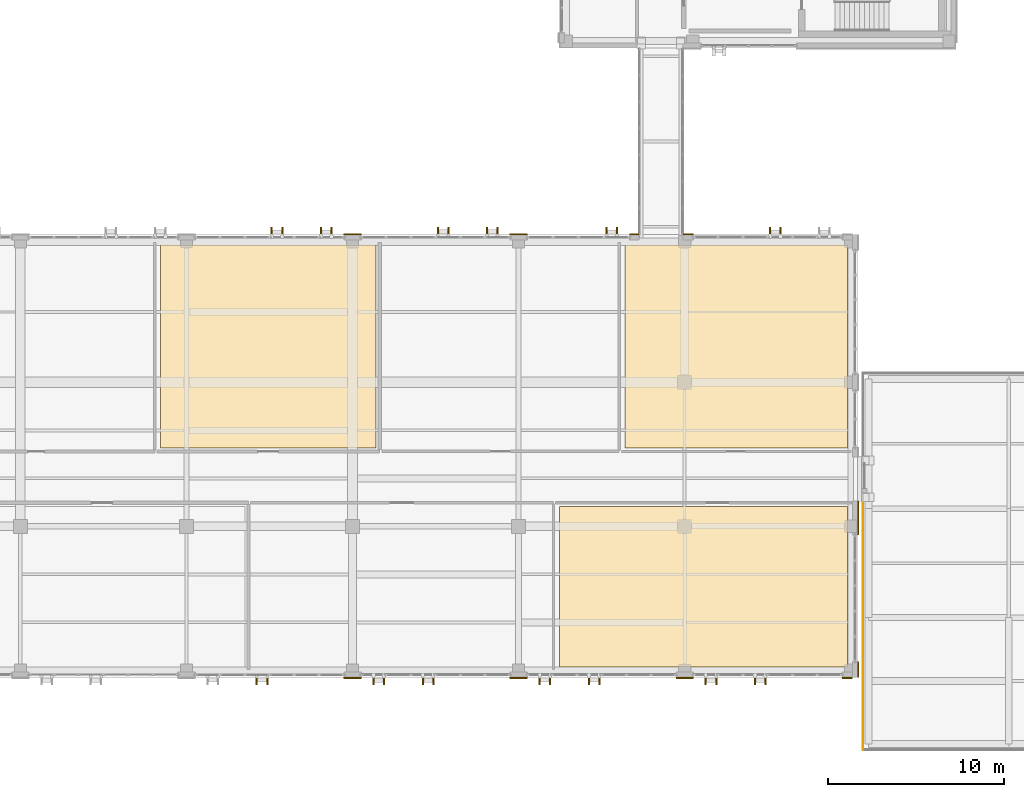
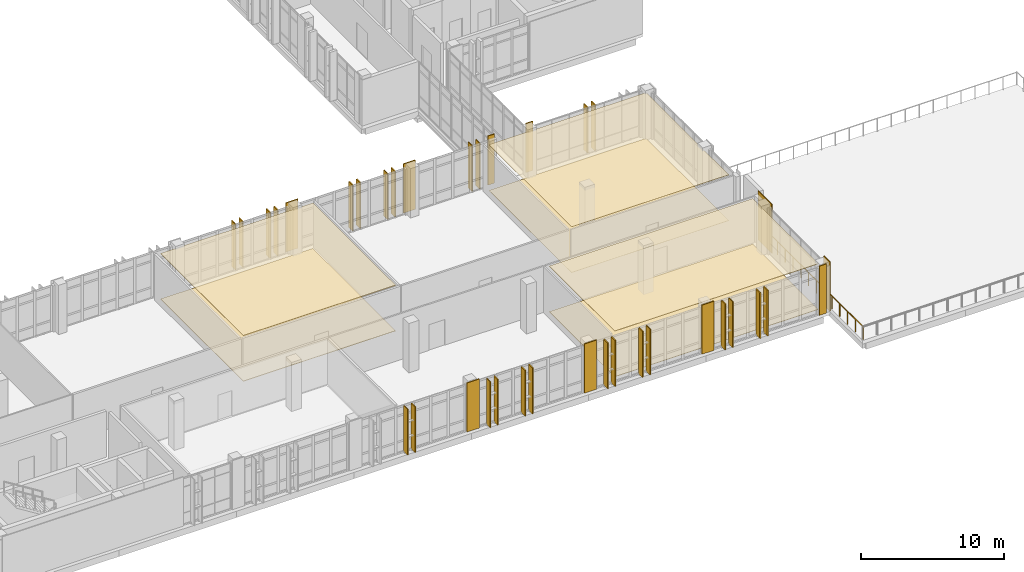
# One storey, part 152 of 165: 26 shading devices, 16 coverings, 1 railing.
"""IFC4 building model written with IfcOpenShell, lengths in metres."""

from ifc_helpers import new_model, si_unit, direction, frame, origin, origin_2d, place, context, subcontext, project, spatial, polyline, rectangle, circle, outline, extrude, material, layer, layer_set, type_object, element, save


model = new_model("IFC4")

# Units and contexts
model_context = context("Model", 3, precision=1e-05, world=origin(), true_north=direction((0.0, 1.0)))
body_context = subcontext(model_context, "Body", "Model", "MODEL_VIEW")
ifc_project = project(units=[si_unit("LENGTHUNIT", "METRE"), si_unit("AREAUNIT", "SQUARE_METRE"), si_unit("VOLUMEUNIT", "CUBIC_METRE"), si_unit("PLANEANGLEUNIT", "RADIAN"), si_unit("MASSUNIT", "GRAM", prefix="KILO")], contexts=[model_context])

# Site, building, storey
site_placement = place(None, origin())
site = spatial("IfcSite", under=ifc_project, at=site_placement, CompositionType="ELEMENT")
building_placement = place(site_placement, origin())
building = spatial("IfcBuilding", under=site, at=building_placement, Name="Qalavern Law Courts", CompositionType="ELEMENT")
storey_placement = place(building_placement, frame((0.0, 0.0, 14.39990234375)))
storey = spatial("IfcBuildingStorey", under=building, at=storey_placement, Name="L03", CompositionType="ELEMENT", Elevation=14.39990234375)

# Railing
ifc_material_1 = material(Name="Steel S355", Category="steel")
railing_type = type_object("IfcRailingType", Name="ENV-BAL-1120", PredefinedType="BALUSTRADE", material=ifc_material_1)
railing_placement = place(storey_placement, frame((101.5, 1.080078125, 0.0)))
element("IfcRailing", 1, at=railing_placement, inside=storey, type_object=railing_type, Name="V6 outdoor terrace safety guard L03-2", PredefinedType="BALUSTRADE", context=body_context, shape_type="SweptSolid", body=[
    extrude(circle(Radius=0.02392578125, at=origin_2d()), frame((0.0, 0.0, 1.09619140625), z_axis=(0.0, 1.0, 0.0), x_axis=(-1.0, 0.0, 0.0)), (0.0, 0.0, 1.0), 14.119873046875),
    extrude(circle(Radius=0.02099609375, at=origin_2d()), origin(), (0.0, 0.0, 1.0), 1.072021484375),
    extrude(circle(Radius=0.02099609375, at=origin_2d()), frame((0.0, 1.086181640625, 0.0)), (0.0, 0.0, 1.0), 1.072021484375),
    extrude(circle(Radius=0.02099609375, at=origin_2d()), frame((0.0, 2.17236328125, 0.0)), (0.0, 0.0, 1.0), 1.072021484375),
    extrude(circle(Radius=0.02099609375, at=origin_2d()), frame((0.0, 3.258544921875, 0.0)), (0.0, 0.0, 1.0), 1.072021484375),
    extrude(circle(Radius=0.02099609375, at=origin_2d()), frame((0.0, 4.344482421875, 0.0)), (0.0, 0.0, 1.0), 1.072021484375),
    extrude(circle(Radius=0.02099609375, at=origin_2d()), frame((0.0, 5.4306640625, 0.0)), (0.0, 0.0, 1.0), 1.072021484375),
    extrude(circle(Radius=0.02099609375, at=origin_2d()), frame((0.0, 6.516845703125, 0.0)), (0.0, 0.0, 1.0), 1.072021484375),
    extrude(circle(Radius=0.02099609375, at=origin_2d()), frame((0.0, 7.60302734375, 0.0)), (0.0, 0.0, 1.0), 1.072021484375),
    extrude(circle(Radius=0.02099609375, at=origin_2d()), frame((0.0, 8.689208984375, 0.0)), (0.0, 0.0, 1.0), 1.072021484375),
    extrude(circle(Radius=0.02099609375, at=origin_2d()), frame((0.0, 9.775390625, 0.0)), (0.0, 0.0, 1.0), 1.072021484375),
    extrude(circle(Radius=0.02099609375, at=origin_2d()), frame((0.0, 10.861328125, 0.0)), (0.0, 0.0, 1.0), 1.072021484375),
    extrude(circle(Radius=0.02099609375, at=origin_2d()), frame((0.0, 11.947509765625, 0.0)), (0.0, 0.0, 1.0), 1.072021484375),
    extrude(circle(Radius=0.02099609375, at=origin_2d()), frame((0.0, 13.03369140625, 0.0)), (0.0, 0.0, 1.0), 1.072021484375),
    extrude(circle(Radius=0.02099609375, at=origin_2d()), frame((0.0, 14.119873046875, 0.0)), (0.0, 0.0, 1.0), 1.072021484375),
])

# Coverings
ifc_material_2 = material(Name="Precast concrete C40/50", Category="concrete")
ifc_layer_1 = layer(ifc_material_2, 0.072021484375)
ifc_layer_set_1 = layer_set([ifc_layer_1], Name="Precast concrete C40/50")
covering_type_1 = type_object("IfcCoveringType", Name="ENV-CLD-2", PredefinedType="CLADDING", material=ifc_layer_set_1)
for number, where, z_axis, x_axis, name in (
    (2, (72.43701171875, 5.1669921875, 0.01025390625), (0.0, 0.0, 1.0), (1.0, 0.0, 0.0), "V2 Absheron limestone pier facing L03 south 4"),
    (3, (81.891357421875, 5.1669921875, 0.01025390625), (0.0, 0.0, 1.0), (1.0, 0.0, 0.0), "V2 Absheron limestone pier facing L03 south 5"),
    (4, (91.345703125, 5.1669921875, 0.01025390625), (0.0, 0.0, 1.0), (1.0, 0.0, 0.0), "V2 Absheron limestone pier facing L03 south 6"),
):
    element("IfcCovering", number, at=place(storey_placement, frame(where, z_axis=z_axis, x_axis=x_axis)), inside=storey, type_object=covering_type_1, Name=name, PredefinedType="CLADDING", context=body_context, shape_type="SweptSolid", body=[
        extrude(rectangle(XDim=0.97998046875, YDim=0.072021484375, at=origin_2d()), origin(), (0.0, 0.0, 1.0), 4.179931640625),
    ])
covering_1_placement = place(storey_placement, frame((100.60498046875, 5.1669921875, 0.01025390625), z_axis=(0.0, 0.0, 1.0), x_axis=(1.0, 0.0, 0.0)))
element("IfcCovering", 5, at=covering_1_placement, inside=storey, type_object=covering_type_1, Name="V2 Absheron limestone pier facing L03 south 7", PredefinedType="CLADDING", context=body_context, shape_type="SweptSolid", body=[
    extrude(rectangle(XDim=0.590087890625, YDim=0.072021484375, at=origin_2d()), origin(), (0.0, 0.0, 1.0), 4.179931640625),
])
covering_2_placement = place(storey_placement, frame((101.23291015625, 5.64990234375, 0.01025390625), z_axis=(0.0, 0.0, 1.0), x_axis=(0.0, 1.0, 0.0)))
element("IfcCovering", 6, at=covering_2_placement, inside=storey, type_object=covering_type_1, Name="V2 Absheron limestone pier facing L03 east 1", PredefinedType="CLADDING", context=body_context, shape_type="SweptSolid", body=[
    extrude(rectangle(XDim=0.8798828125, YDim=0.072021484375, at=origin_2d()), origin(), (0.0, 0.0, 1.0), 4.179931640625),
])
covering_3_placement = place(storey_placement, frame((101.23291015625, 14.27490234375, 0.01025390625), z_axis=(0.0, 0.0, 1.0), x_axis=(0.0, 1.0, 0.0)))
element("IfcCovering", 7, at=covering_3_placement, inside=storey, type_object=covering_type_1, Name="V2 Absheron limestone pier facing L03 east 2", PredefinedType="CLADDING", context=body_context, shape_type="SweptSolid", body=[
    extrude(rectangle(XDim=1.929931640625, YDim=0.072021484375, at=origin_2d()), origin(), (0.0, 0.0, 1.0), 4.179931640625),
])
covering_4_placement = place(storey_placement, frame((91.5478515625, 30.43310546875, 0.01025390625), z_axis=(0.0, 0.0, 1.0), x_axis=(-1.0, 0.0, 0.0)))
element("IfcCovering", 8, at=covering_4_placement, inside=storey, type_object=covering_type_1, Name="V2 Absheron limestone pier facing L03 north 2", PredefinedType="CLADDING", context=body_context, shape_type="SweptSolid", body=[
    extrude(rectangle(XDim=0.57568359375, YDim=0.072021484375, at=origin_2d()), origin(), (0.0, 0.0, 1.0), 4.179931640625),
])
covering_5_placement = place(storey_placement, frame((88.47509765625, 30.43310546875, 0.01025390625), z_axis=(0.0, 0.0, 1.0), x_axis=(-1.0, 0.0, 0.0)))
element("IfcCovering", 9, at=covering_5_placement, inside=storey, type_object=covering_type_1, Name="V2 Absheron limestone pier facing L03 north 1", PredefinedType="CLADDING", context=body_context, shape_type="SweptSolid", body=[
    extrude(rectangle(XDim=0.530029296875, YDim=0.072021484375, at=origin_2d()), origin(), (0.0, 0.0, 1.0), 4.179931640625),
])
for number, where, z_axis, x_axis, name in (
    (10, (81.891357421875, 30.43310546875, 0.01025390625), (0.0, 0.0, 1.0), (-1.0, 0.0, 0.0), "V2 Absheron limestone pier facing L03 north 2"),
    (11, (72.43701171875, 30.43310546875, 0.01025390625), (0.0, 0.0, 1.0), (-1.0, 0.0, 0.0), "V2 Absheron limestone pier facing L03 north 3"),
):
    element("IfcCovering", number, at=place(storey_placement, frame(where, z_axis=z_axis, x_axis=x_axis)), inside=storey, type_object=covering_type_1, Name=name, PredefinedType="CLADDING", context=body_context, shape_type="SweptSolid", body=[
        extrude(rectangle(XDim=0.97998046875, YDim=0.072021484375, at=origin_2d()), origin(), (0.0, 0.0, 1.0), 4.179931640625),
    ])

# Shading devices
shading_device_type = type_object("IfcShadingDeviceType", Name="ENV-FIN-1", PredefinedType="USERDEFINED", material=ifc_material_2)
for number, where, z_axis, x_axis, name in (
    (12, (66.98291015625, 5.03759765625, 0.01025390625), (0.0, 0.0, 1.0), (0.0, -1.0, 0.0), "Hall solar shading fin 0105"),
    (13, (67.5830078125, 5.03759765625, 0.01025390625), (0.0, 0.0, 1.0), (0.0, -1.0, 0.0), "Hall solar shading fin 0106"),
    (14, (73.63720703125, 5.03759765625, 0.01025390625), (0.0, 0.0, 1.0), (0.0, -1.0, 0.0), "Hall solar shading fin 0107"),
    (15, (74.237060546875, 5.03759765625, 0.01025390625), (0.0, 0.0, 1.0), (0.0, -1.0, 0.0), "Hall solar shading fin 0108"),
    (16, (76.43701171875, 5.03759765625, 0.01025390625), (0.0, 0.0, 1.0), (0.0, -1.0, 0.0), "Hall solar shading fin 0109"),
    (17, (77.037109375, 5.03759765625, 0.01025390625), (0.0, 0.0, 1.0), (0.0, -1.0, 0.0), "Hall solar shading fin 0110"),
    (18, (83.09130859375, 5.03759765625, 0.01025390625), (0.0, 0.0, 1.0), (0.0, -1.0, 0.0), "Hall solar shading fin 0111"),
    (19, (83.69140625, 5.03759765625, 0.01025390625), (0.0, 0.0, 1.0), (0.0, -1.0, 0.0), "Hall solar shading fin 0112"),
    (20, (85.891357421875, 5.03759765625, 0.01025390625), (0.0, 0.0, 1.0), (0.0, -1.0, 0.0), "Hall solar shading fin 0113"),
    (21, (86.491455078125, 5.03759765625, 0.01025390625), (0.0, 0.0, 1.0), (0.0, -1.0, 0.0), "Hall solar shading fin 0114"),
    (22, (92.545654296875, 5.03759765625, 0.01025390625), (0.0, 0.0, 1.0), (0.0, -1.0, 0.0), "Hall solar shading fin 0115"),
    (23, (93.145751953125, 5.03759765625, 0.01025390625), (0.0, 0.0, 1.0), (0.0, -1.0, 0.0), "Hall solar shading fin 0116"),
    (24, (95.345703125, 5.03759765625, 0.01025390625), (0.0, 0.0, 1.0), (0.0, -1.0, 0.0), "Hall solar shading fin 0117"),
    (25, (95.94580078125, 5.03759765625, 0.01025390625), (0.0, 0.0, 1.0), (0.0, -1.0, 0.0), "Hall solar shading fin 0118"),
    (26, (96.800048828125, 30.5625, 0.01025390625), (0.0, 0.0, 1.0), (0.0, 1.0, 0.0), "Hall solar shading fin 0121"),
    (27, (96.199951171875, 30.5625, 0.01025390625), (0.0, 0.0, 1.0), (0.0, 1.0, 0.0), "Hall solar shading fin 0122"),
    (28, (87.5, 30.5625, 0.01025390625), (0.0, 0.0, 1.0), (0.0, 1.0, 0.0), "Hall solar shading fin 0123"),
    (29, (86.89990234375, 30.5625, 0.01025390625), (0.0, 0.0, 1.0), (0.0, 1.0, 0.0), "Hall solar shading fin 0124"),
    (30, (80.69140625, 30.5625, 0.01025390625), (0.0, 0.0, 1.0), (0.0, 1.0, 0.0), "Hall solar shading fin 0125"),
    (31, (80.09130859375, 30.5625, 0.01025390625), (0.0, 0.0, 1.0), (0.0, 1.0, 0.0), "Hall solar shading fin 0126"),
    (32, (77.891357421875, 30.5625, 0.01025390625), (0.0, 0.0, 1.0), (0.0, 1.0, 0.0), "Hall solar shading fin 0127"),
    (33, (77.29150390625, 30.5625, 0.01025390625), (0.0, 0.0, 1.0), (0.0, 1.0, 0.0), "Hall solar shading fin 0128"),
    (34, (71.237060546875, 30.5625, 0.01025390625), (0.0, 0.0, 1.0), (0.0, 1.0, 0.0), "Hall solar shading fin 0129"),
    (35, (70.63720703125, 30.5625, 0.01025390625), (0.0, 0.0, 1.0), (0.0, 1.0, 0.0), "Hall solar shading fin 0130"),
    (36, (68.43701171875, 30.5625, 0.01025390625), (0.0, 0.0, 1.0), (0.0, 1.0, 0.0), "Hall solar shading fin 0131"),
    (37, (67.837158203125, 30.5625, 0.01025390625), (0.0, 0.0, 1.0), (0.0, 1.0, 0.0), "Hall solar shading fin 0132"),
):
    element("IfcShadingDevice", number, at=place(storey_placement, frame(where, z_axis=z_axis, x_axis=x_axis)), inside=storey, type_object=shading_device_type, Name=name, ObjectType="FIN", PredefinedType="USERDEFINED", context=body_context, shape_type="SweptSolid", body=[
        extrude(rectangle(XDim=0.5400390625, YDim=0.0849609375, at=origin_2d()), origin(), (0.0, 0.0, 1.0), 3.89990234375),
    ])

# Coverings
ifc_material_3 = material(Name="Perforated gypsum and mineral-wool acoustic ceiling")
ifc_layer_2 = layer(ifc_material_3, 0.0380859375)
ifc_layer_set_2 = layer_set([ifc_layer_2], Name="Perforated gypsum and mineral-wool acoustic ceiling")
covering_type_2 = type_object("IfcCoveringType", Name="INT-CEIL-1", PredefinedType="CEILING", material=ifc_layer_set_2)
covering_6_placement = place(storey_placement, frame((0.0, 0.0, 3.882080078125)))
element("IfcCovering", 38, at=covering_6_placement, inside=storey, type_object=covering_type_2, Name="En Banc Judges Robing Suite acoustic ceiling L03", PredefinedType="CEILING", context=body_context, shape_type="SweptSolid", body=[
    extrude(outline(polyline([(87.947998046875, 18.27001953125), (100.610107421875, 18.27001953125), (100.610107421875, 29.81005859375), (87.947998046875, 29.81005859375), (87.947998046875, 18.27001953125)])), origin(), (0.0, 0.0, 1.0), 0.0380859375),
])
ifc_layer_3 = layer(ifc_material_3, 0.0458984375)
ifc_layer_set_3 = layer_set([ifc_layer_3], Name="Perforated gypsum and mineral-wool acoustic ceiling")
covering_type_3 = type_object("IfcCoveringType", Name="INT-CEIL-2", PredefinedType="CEILING", material=ifc_layer_set_3)
covering_7_placement = place(storey_placement, frame((0.0, 0.0, 3.8740234375)))
element("IfcCovering", 39, at=covering_7_placement, inside=storey, type_object=covering_type_3, Name="En Banc Judges Robing Suite acoustic ceiling L03", PredefinedType="CEILING", context=body_context, shape_type="SweptSolid", body=[
    extrude(outline(polyline([(84.214111328125, 5.7900390625), (100.610107421875, 5.7900390625), (100.610107421875, 14.929931640625), (84.214111328125, 14.929931640625), (84.214111328125, 5.7900390625)])), origin(), (0.0, 0.0, 1.0), 0.046142578125),
])
ifc_material_4 = material(Name="Slatted oak acoustic timber baffle ceiling", Category="wood")
ifc_layer_4 = layer(ifc_material_4, 0.055908203125)
ifc_layer_set_4 = layer_set([ifc_layer_4], Name="Slatted oak acoustic timber baffle ceiling")
covering_type_4 = type_object("IfcCoveringType", Name="INT-CEIL-3", PredefinedType="CEILING", material=ifc_layer_set_4)
covering_8_placement = place(storey_placement, frame((0.0, 0.0, 3.864013671875)))
element("IfcCovering", 40, at=covering_8_placement, inside=storey, type_object=covering_type_4, Name="Ceremonial Courtroom acoustic ceiling L03", PredefinedType="CEILING", context=body_context, shape_type="SweptSolid", body=[
    extrude(outline(polyline([(61.508056640625, 18.27001953125), (73.77490234375, 18.27001953125), (73.77490234375, 29.81005859375), (61.508056640625, 29.81005859375), (61.508056640625, 18.27001953125)])), origin(), (0.0, 0.0, 1.0), 0.05615234375),
])
ifc_material_5 = material(Name="Acoustic engineered oak courtroom flooring")
ifc_layer_5 = layer(ifc_material_5, 0.02197265625)
ifc_layer_set_5 = layer_set([ifc_layer_5], Name="Acoustic engineered oak courtroom flooring")
covering_type_5 = type_object("IfcCoveringType", Name="INT-FLR-1", PredefinedType="FLOORING", material=ifc_layer_set_5)
covering_9_placement = place(storey_placement, origin())
element("IfcCovering", 41, at=covering_9_placement, inside=storey, type_object=covering_type_5, Name="En Banc Judges Robing Suite finish flooring L03", PredefinedType="FLOORING", context=body_context, shape_type="SweptSolid", body=[
    extrude(outline(polyline([(87.947998046875, 18.27001953125), (100.610107421875, 18.27001953125), (100.610107421875, 29.81005859375), (87.947998046875, 29.81005859375), (87.947998046875, 18.27001953125)])), origin(), (0.0, 0.0, 1.0), 0.022216796875),
])
ifc_material_6 = material(Name="Polished Absheron stone terrazzo flooring", Category="masonry")
ifc_layer_6 = layer(ifc_material_6, 0.030029296875)
ifc_layer_set_6 = layer_set([ifc_layer_6], Name="Polished Absheron stone terrazzo flooring")
covering_type_6 = type_object("IfcCoveringType", Name="INT-FLR-2", PredefinedType="FLOORING", material=ifc_layer_set_6)
covering_10_placement = place(storey_placement, origin())
element("IfcCovering", 42, at=covering_10_placement, inside=storey, type_object=covering_type_6, Name="En Banc Judges Robing Suite finish flooring L03", PredefinedType="FLOORING", context=body_context, shape_type="SweptSolid", body=[
    extrude(outline(polyline([(84.214111328125, 5.7900390625), (100.610107421875, 5.7900390625), (100.610107421875, 14.929931640625), (84.214111328125, 14.929931640625), (84.214111328125, 5.7900390625)])), origin(), (0.0, 0.0, 1.0), 0.030029296875),
])
ifc_layer_7 = layer(ifc_material_5, 0.0380859375)
ifc_layer_set_7 = layer_set([ifc_layer_7], Name="Acoustic engineered oak courtroom flooring")
covering_type_7 = type_object("IfcCoveringType", Name="INT-FLR-3", PredefinedType="FLOORING", material=ifc_layer_set_7)
covering_11_placement = place(storey_placement, origin())
element("IfcCovering", 43, at=covering_11_placement, inside=storey, type_object=covering_type_7, Name="Ceremonial Courtroom finish flooring L03", PredefinedType="FLOORING", context=body_context, shape_type="SweptSolid", body=[
    extrude(outline(polyline([(61.508056640625, 18.27001953125), (73.77490234375, 18.27001953125), (73.77490234375, 29.81005859375), (61.508056640625, 29.81005859375), (61.508056640625, 18.27001953125)])), origin(), (0.0, 0.0, 1.0), 0.0380859375),
])

save(model, "model.ifc")
